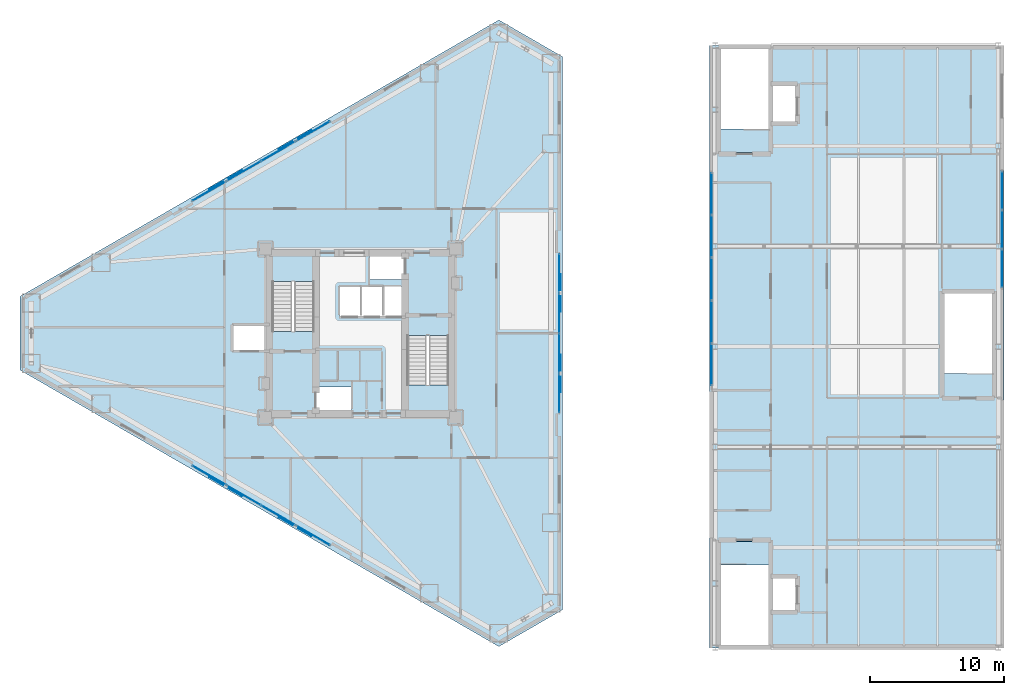
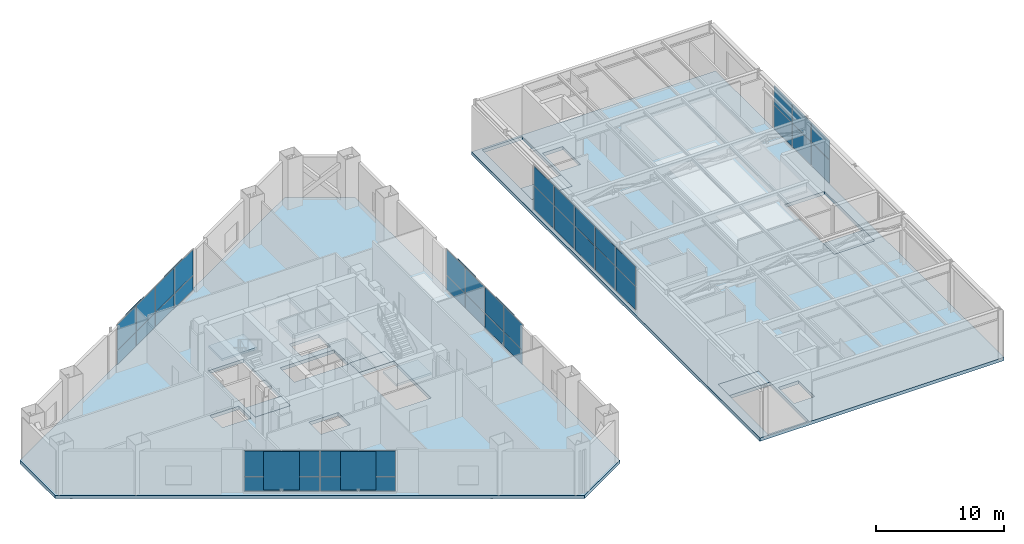
# One storey, part 19 of 27: 46 plates, 9 slabs, 7 elements without a shape of their own.
"""IFC4 building model written with IfcOpenShell, lengths in metres."""

from ifc_helpers import new_model, si_unit, direction, frame, origin, origin_2d, place, context, subcontext, project, spatial, polyline, rectangle, outline, extrude, material, layer, layer_set, type_object, element, aggregate, save


model = new_model("IFC4")

# Units and contexts
model_context = context("Model", 3, precision=1e-05, world=origin(), true_north=direction((0.0, 1.0)))
body_context = subcontext(model_context, "Body", "Model", "MODEL_VIEW")
ifc_project = project(units=[si_unit("LENGTHUNIT", "METRE"), si_unit("AREAUNIT", "SQUARE_METRE"), si_unit("VOLUMEUNIT", "CUBIC_METRE"), si_unit("PLANEANGLEUNIT", "RADIAN"), si_unit("MASSUNIT", "GRAM", prefix="KILO")], contexts=[model_context])

# Site, building, storey
site_placement = place(None, origin())
site = spatial("IfcSite", under=ifc_project, at=site_placement, CompositionType="ELEMENT")
building_placement = place(site_placement, origin())
building = spatial("IfcBuilding", under=site, at=building_placement, Name="Mersakhor Tower and Convention Hall", CompositionType="ELEMENT")
storey_placement = place(building_placement, frame((0.0, 0.0, 14.39990234375)))
storey = spatial("IfcBuildingStorey", under=building, at=storey_placement, Name="L03", CompositionType="ELEMENT", Elevation=14.39990234375)

# Curtain wall, plates
ifc_material_1 = material(Name="Dark solar low-E aluminium curtain wall", Category="aluminium")
ifc_layer_1 = layer(ifc_material_1, 0.18994140625)
ifc_layer_set_1 = layer_set([ifc_layer_1], Name="Dark solar low-E aluminium curtain wall")
curtain_wall_type_1 = type_object("IfcCurtainWallType", Name="CW-SYS-04", PredefinedType="USERDEFINED", material=ifc_layer_set_1)
curtain_wall_1_placement = place(storey_placement, origin())
curtain_wall_1 = element("IfcCurtainWall", 1, at=curtain_wall_1_placement, inside=storey, type_object=curtain_wall_type_1, Name="L03 Dark-Glass Curtain Wall F1-B2", ObjectType="CURTAIN WALL", PredefinedType="USERDEFINED")
ifc_material_2 = material(Name="Dark solar double glazing", Category="glass")
ifc_layer_2 = layer(ifc_material_2, 0.031982421875)
ifc_layer_set_2 = layer_set([ifc_layer_2], Name="Dark solar double glazing")
plate_type_1 = type_object("IfcPlateType", Name="CWP-GLZ-32", PredefinedType="CURTAIN_PANEL", material=ifc_layer_set_2)
plate_1_placement = place(storey_placement, frame((17.703857421875, 37.37548828125, 0.260009765625), z_axis=(0.0, 0.0, 1.0), x_axis=(0.866023412558, 0.50000344889, 0.0)))
plate_1 = element("IfcPlate", 2, at=plate_1_placement, type_object=plate_type_1, Name="CW-04 panel 1.1", PredefinedType="CURTAIN_PANEL", context=body_context, shape_type="SweptSolid", body=[
    extrude(rectangle(XDim=2.873291015625, YDim=0.031982421875, at=origin_2d()), origin(), (0.0, 0.0, 1.0), 1.330078125),
])
plate_2_placement = place(storey_placement, frame((17.703857421875, 37.37548828125, 1.64990234375), z_axis=(0.0, 0.0, 1.0), x_axis=(0.866023412558, 0.50000344889, 0.0)))
plate_2 = element("IfcPlate", 3, at=plate_2_placement, type_object=plate_type_1, Name="CW-04 panel 1.2", PredefinedType="CURTAIN_PANEL", context=body_context, shape_type="SweptSolid", body=[
    extrude(rectangle(XDim=2.873291015625, YDim=0.031982421875, at=origin_2d()), origin(), (0.0, 0.0, 1.0), 2.429931640625),
])
plate_3_placement = place(storey_placement, frame((20.27880859375, 38.862060546875, 0.260009765625), z_axis=(0.0, 0.0, 1.0), x_axis=(0.866023412558, 0.50000344889, 0.0)))
plate_3 = element("IfcPlate", 4, at=plate_3_placement, type_object=plate_type_1, Name="CW-04 panel 2.1", PredefinedType="CURTAIN_PANEL", context=body_context, shape_type="SweptSolid", body=[
    extrude(rectangle(XDim=2.913330078125, YDim=0.031982421875, at=origin_2d()), origin(), (0.0, 0.0, 1.0), 1.330078125),
])
plate_4_placement = place(storey_placement, frame((20.27880859375, 38.862060546875, 1.64990234375), z_axis=(0.0, 0.0, 1.0), x_axis=(0.866023412558, 0.50000344889, 0.0)))
plate_4 = element("IfcPlate", 5, at=plate_4_placement, type_object=plate_type_1, Name="CW-04 panel 2.2", PredefinedType="CURTAIN_PANEL", context=body_context, shape_type="SweptSolid", body=[
    extrude(rectangle(XDim=2.913330078125, YDim=0.031982421875, at=origin_2d()), origin(), (0.0, 0.0, 1.0), 2.429931640625),
])
plate_5_placement = place(storey_placement, frame((22.87109375, 40.35888671875, 0.260009765625), z_axis=(0.0, 0.0, 1.0), x_axis=(0.866023412558, 0.50000344889, 0.0)))
plate_5 = element("IfcPlate", 6, at=plate_5_placement, type_object=plate_type_1, Name="CW-04 panel 3.1", PredefinedType="CURTAIN_PANEL", context=body_context, shape_type="SweptSolid", body=[
    extrude(rectangle(XDim=2.913330078125, YDim=0.031982421875, at=origin_2d()), origin(), (0.0, 0.0, 1.0), 1.330078125),
])
plate_6_placement = place(storey_placement, frame((22.87109375, 40.35888671875, 1.64990234375), z_axis=(0.0, 0.0, 1.0), x_axis=(0.866023412558, 0.50000344889, 0.0)))
plate_6 = element("IfcPlate", 7, at=plate_6_placement, type_object=plate_type_1, Name="CW-04 panel 3.2", PredefinedType="CURTAIN_PANEL", context=body_context, shape_type="SweptSolid", body=[
    extrude(rectangle(XDim=2.913330078125, YDim=0.031982421875, at=origin_2d()), origin(), (0.0, 0.0, 1.0), 2.429931640625),
])
plate_7_placement = place(storey_placement, frame((25.446044921875, 41.845458984375, 0.260009765625), z_axis=(0.0, 0.0, 1.0), x_axis=(0.866023412558, 0.50000344889, 0.0)))
plate_7 = element("IfcPlate", 8, at=plate_7_placement, type_object=plate_type_1, Name="CW-04 panel 4.1", PredefinedType="CURTAIN_PANEL", context=body_context, shape_type="SweptSolid", body=[
    extrude(rectangle(XDim=2.873291015625, YDim=0.031982421875, at=origin_2d()), origin(), (0.0, 0.0, 1.0), 1.330078125),
])
plate_8_placement = place(storey_placement, frame((25.446044921875, 41.845458984375, 1.64990234375), z_axis=(0.0, 0.0, 1.0), x_axis=(0.866023412558, 0.50000344889, 0.0)))
plate_8 = element("IfcPlate", 9, at=plate_8_placement, type_object=plate_type_1, Name="CW-04 panel 4.2", PredefinedType="CURTAIN_PANEL", context=body_context, shape_type="SweptSolid", body=[
    extrude(rectangle(XDim=2.873291015625, YDim=0.031982421875, at=origin_2d()), origin(), (0.0, 0.0, 1.0), 2.429931640625),
])
aggregate(curtain_wall_1, [plate_1, plate_2, plate_3, plate_4, plate_5, plate_6, plate_7, plate_8])

curtain_wall_2_placement = place(storey_placement, origin())
curtain_wall_2 = element("IfcCurtainWall", 10, at=curtain_wall_2_placement, inside=storey, type_object=curtain_wall_type_1, Name="L03 Dark-Glass Curtain Wall F2-B2", ObjectType="CURTAIN WALL", PredefinedType="USERDEFINED")
plate_9_placement = place(storey_placement, frame((43.85009765625, 31.219970703125, 0.260009765625), z_axis=(0.0, 0.0, 1.0), x_axis=(0.0, -1.0, 0.0)))
plate_9 = element("IfcPlate", 11, at=plate_9_placement, type_object=plate_type_1, Name="CW-04 panel 1.1", PredefinedType="CURTAIN_PANEL", context=body_context, shape_type="SweptSolid", body=[
    extrude(rectangle(XDim=2.873291015625, YDim=0.031982421875, at=origin_2d()), origin(), (0.0, 0.0, 1.0), 1.330078125),
])
plate_10_placement = place(storey_placement, frame((43.85009765625, 31.219970703125, 1.64990234375), z_axis=(0.0, 0.0, 1.0), x_axis=(0.0, -1.0, 0.0)))
plate_10 = element("IfcPlate", 12, at=plate_10_placement, type_object=plate_type_1, Name="CW-04 panel 1.2", PredefinedType="CURTAIN_PANEL", context=body_context, shape_type="SweptSolid", body=[
    extrude(rectangle(XDim=2.873291015625, YDim=0.031982421875, at=origin_2d()), origin(), (0.0, 0.0, 1.0), 2.429931640625),
])
plate_11_placement = place(storey_placement, frame((43.85009765625, 28.24658203125, 0.260009765625), z_axis=(0.0, 0.0, 1.0), x_axis=(0.0, -1.0, 0.0)))
plate_11 = element("IfcPlate", 13, at=plate_11_placement, type_object=plate_type_1, Name="CW-04 panel 2.1", PredefinedType="CURTAIN_PANEL", context=body_context, shape_type="SweptSolid", body=[
    extrude(rectangle(XDim=2.913330078125, YDim=0.031982421875, at=origin_2d()), origin(), (0.0, 0.0, 1.0), 1.330078125),
])
plate_12_placement = place(storey_placement, frame((43.85009765625, 28.24658203125, 1.64990234375), z_axis=(0.0, 0.0, 1.0), x_axis=(0.0, -1.0, 0.0)))
plate_12 = element("IfcPlate", 14, at=plate_12_placement, type_object=plate_type_1, Name="CW-04 panel 2.2", PredefinedType="CURTAIN_PANEL", context=body_context, shape_type="SweptSolid", body=[
    extrude(rectangle(XDim=2.913330078125, YDim=0.031982421875, at=origin_2d()), origin(), (0.0, 0.0, 1.0), 2.429931640625),
])
plate_13_placement = place(storey_placement, frame((43.85009765625, 25.25341796875, 0.260009765625), z_axis=(0.0, 0.0, 1.0), x_axis=(0.0, -1.0, 0.0)))
plate_13 = element("IfcPlate", 15, at=plate_13_placement, type_object=plate_type_1, Name="CW-04 panel 3.1", PredefinedType="CURTAIN_PANEL", context=body_context, shape_type="SweptSolid", body=[
    extrude(rectangle(XDim=2.913330078125, YDim=0.031982421875, at=origin_2d()), origin(), (0.0, 0.0, 1.0), 1.330078125),
])
plate_14_placement = place(storey_placement, frame((43.85009765625, 25.25341796875, 1.64990234375), z_axis=(0.0, 0.0, 1.0), x_axis=(0.0, -1.0, 0.0)))
plate_14 = element("IfcPlate", 16, at=plate_14_placement, type_object=plate_type_1, Name="CW-04 panel 3.2", PredefinedType="CURTAIN_PANEL", context=body_context, shape_type="SweptSolid", body=[
    extrude(rectangle(XDim=2.913330078125, YDim=0.031982421875, at=origin_2d()), origin(), (0.0, 0.0, 1.0), 2.429931640625),
])
plate_15_placement = place(storey_placement, frame((43.85009765625, 22.280029296875, 0.260009765625), z_axis=(0.0, 0.0, 1.0), x_axis=(0.0, -1.0, 0.0)))
plate_15 = element("IfcPlate", 17, at=plate_15_placement, type_object=plate_type_1, Name="CW-04 panel 4.1", PredefinedType="CURTAIN_PANEL", context=body_context, shape_type="SweptSolid", body=[
    extrude(rectangle(XDim=2.873291015625, YDim=0.031982421875, at=origin_2d()), origin(), (0.0, 0.0, 1.0), 1.330078125),
])
plate_16_placement = place(storey_placement, frame((43.85009765625, 22.280029296875, 1.64990234375), z_axis=(0.0, 0.0, 1.0), x_axis=(0.0, -1.0, 0.0)))
plate_16 = element("IfcPlate", 18, at=plate_16_placement, type_object=plate_type_1, Name="CW-04 panel 4.2", PredefinedType="CURTAIN_PANEL", context=body_context, shape_type="SweptSolid", body=[
    extrude(rectangle(XDim=2.873291015625, YDim=0.031982421875, at=origin_2d()), origin(), (0.0, 0.0, 1.0), 2.429931640625),
])
aggregate(curtain_wall_2, [plate_9, plate_10, plate_11, plate_12, plate_13, plate_14, plate_15, plate_16])

curtain_wall_3_placement = place(storey_placement, origin())
curtain_wall_3 = element("IfcCurtainWall", 19, at=curtain_wall_3_placement, inside=storey, type_object=curtain_wall_type_1, Name="L03 Dark-Glass Curtain Wall F3-B2", ObjectType="CURTAIN WALL", PredefinedType="USERDEFINED")
plate_17_placement = place(storey_placement, frame((25.446044921875, 11.654541015625, 0.260009765625), z_axis=(0.0, 0.0, 1.0), x_axis=(-0.866023412558, 0.50000344889, 0.0)))
plate_17 = element("IfcPlate", 20, at=plate_17_placement, type_object=plate_type_1, Name="CW-04 panel 1.1", PredefinedType="CURTAIN_PANEL", context=body_context, shape_type="SweptSolid", body=[
    extrude(rectangle(XDim=2.873291015625, YDim=0.031982421875, at=origin_2d()), origin(), (0.0, 0.0, 1.0), 1.330078125),
])
plate_18_placement = place(storey_placement, frame((25.446044921875, 11.654541015625, 1.64990234375), z_axis=(0.0, 0.0, 1.0), x_axis=(-0.866023412558, 0.50000344889, 0.0)))
plate_18 = element("IfcPlate", 21, at=plate_18_placement, type_object=plate_type_1, Name="CW-04 panel 1.2", PredefinedType="CURTAIN_PANEL", context=body_context, shape_type="SweptSolid", body=[
    extrude(rectangle(XDim=2.873291015625, YDim=0.031982421875, at=origin_2d()), origin(), (0.0, 0.0, 1.0), 2.429931640625),
])
plate_19_placement = place(storey_placement, frame((22.87109375, 13.14111328125, 0.260009765625), z_axis=(0.0, 0.0, 1.0), x_axis=(-0.866023412558, 0.50000344889, 0.0)))
plate_19 = element("IfcPlate", 22, at=plate_19_placement, type_object=plate_type_1, Name="CW-04 panel 2.1", PredefinedType="CURTAIN_PANEL", context=body_context, shape_type="SweptSolid", body=[
    extrude(rectangle(XDim=2.913330078125, YDim=0.031982421875, at=origin_2d()), origin(), (0.0, 0.0, 1.0), 1.330078125),
])
plate_20_placement = place(storey_placement, frame((22.87109375, 13.14111328125, 1.64990234375), z_axis=(0.0, 0.0, 1.0), x_axis=(-0.866023412558, 0.50000344889, 0.0)))
plate_20 = element("IfcPlate", 23, at=plate_20_placement, type_object=plate_type_1, Name="CW-04 panel 2.2", PredefinedType="CURTAIN_PANEL", context=body_context, shape_type="SweptSolid", body=[
    extrude(rectangle(XDim=2.913330078125, YDim=0.031982421875, at=origin_2d()), origin(), (0.0, 0.0, 1.0), 2.429931640625),
])
plate_21_placement = place(storey_placement, frame((20.27880859375, 14.637939453125, 0.260009765625), z_axis=(0.0, 0.0, 1.0), x_axis=(-0.866023412558, 0.50000344889, 0.0)))
plate_21 = element("IfcPlate", 24, at=plate_21_placement, type_object=plate_type_1, Name="CW-04 panel 3.1", PredefinedType="CURTAIN_PANEL", context=body_context, shape_type="SweptSolid", body=[
    extrude(rectangle(XDim=2.913330078125, YDim=0.031982421875, at=origin_2d()), origin(), (0.0, 0.0, 1.0), 1.330078125),
])
plate_22_placement = place(storey_placement, frame((20.27880859375, 14.637939453125, 1.64990234375), z_axis=(0.0, 0.0, 1.0), x_axis=(-0.866023412558, 0.50000344889, 0.0)))
plate_22 = element("IfcPlate", 25, at=plate_22_placement, type_object=plate_type_1, Name="CW-04 panel 3.2", PredefinedType="CURTAIN_PANEL", context=body_context, shape_type="SweptSolid", body=[
    extrude(rectangle(XDim=2.913330078125, YDim=0.031982421875, at=origin_2d()), origin(), (0.0, 0.0, 1.0), 2.429931640625),
])
plate_23_placement = place(storey_placement, frame((17.703857421875, 16.12451171875, 0.260009765625), z_axis=(0.0, 0.0, 1.0), x_axis=(-0.866023412558, 0.50000344889, 0.0)))
plate_23 = element("IfcPlate", 26, at=plate_23_placement, type_object=plate_type_1, Name="CW-04 panel 4.1", PredefinedType="CURTAIN_PANEL", context=body_context, shape_type="SweptSolid", body=[
    extrude(rectangle(XDim=2.873291015625, YDim=0.031982421875, at=origin_2d()), origin(), (0.0, 0.0, 1.0), 1.330078125),
])
plate_24_placement = place(storey_placement, frame((17.703857421875, 16.12451171875, 1.64990234375), z_axis=(0.0, 0.0, 1.0), x_axis=(-0.866023412558, 0.50000344889, 0.0)))
plate_24 = element("IfcPlate", 27, at=plate_24_placement, type_object=plate_type_1, Name="CW-04 panel 4.2", PredefinedType="CURTAIN_PANEL", context=body_context, shape_type="SweptSolid", body=[
    extrude(rectangle(XDim=2.873291015625, YDim=0.031982421875, at=origin_2d()), origin(), (0.0, 0.0, 1.0), 2.429931640625),
])
aggregate(curtain_wall_3, [plate_17, plate_18, plate_19, plate_20, plate_21, plate_22, plate_23, plate_24])

ifc_material_3 = material(Name="Dark solar low-E aluminium curtain wall", Category="aluminium")
ifc_layer_3 = layer(ifc_material_3, 0.219970703125)
ifc_layer_set_3 = layer_set([ifc_layer_3], Name="Dark solar low-E aluminium curtain wall")
curtain_wall_type_2 = type_object("IfcCurtainWallType", Name="CW-SYS-07", PredefinedType="USERDEFINED", material=ifc_layer_set_3)
curtain_wall_4_placement = place(storey_placement, origin())
curtain_wall_4 = element("IfcCurtainWall", 28, at=curtain_wall_4_placement, inside=storey, type_object=curtain_wall_type_2, Name="Convention L03 West Curtain Wall", ObjectType="CURTAIN WALL", PredefinedType="USERDEFINED")
ifc_material_4 = material(Name="Dark solar double glazing", Category="glass")
ifc_layer_4 = layer(ifc_material_4, 0.0439453125)
ifc_layer_set_4 = layer_set([ifc_layer_4], Name="Dark solar double glazing")
plate_type_2 = type_object("IfcPlateType", Name="CWP-GLZ-44", PredefinedType="CURTAIN_PANEL", material=ifc_layer_set_4)
plate_25_placement = place(storey_placement, frame((55.22509765625, 24.419921875, 0.260009765625), z_axis=(0.0, 0.0, 1.0), x_axis=(0.0, 1.0, 0.0)))
plate_25 = element("IfcPlate", 29, at=plate_25_placement, type_object=plate_type_2, Name="CW-07 panel 1.1", PredefinedType="CURTAIN_PANEL", context=body_context, shape_type="SweptSolid", body=[
    extrude(rectangle(XDim=3.080078125, YDim=0.0439453125, at=origin_2d()), origin(), (0.0, 0.0, 1.0), 2.2099609375),
])
plate_26_placement = place(storey_placement, frame((55.22509765625, 24.419921875, 2.530029296875), z_axis=(0.0, 0.0, 1.0), x_axis=(0.0, 1.0, 0.0)))
plate_26 = element("IfcPlate", 30, at=plate_26_placement, type_object=plate_type_2, Name="CW-07 panel 1.2", PredefinedType="CURTAIN_PANEL", context=body_context, shape_type="SweptSolid", body=[
    extrude(rectangle(XDim=3.080078125, YDim=0.0439453125, at=origin_2d()), origin(), (0.0, 0.0, 1.0), 1.830078125),
])
plate_27_placement = place(storey_placement, frame((55.22509765625, 27.60009765625, 0.260009765625), z_axis=(0.0, 0.0, 1.0), x_axis=(0.0, 1.0, 0.0)))
plate_27 = element("IfcPlate", 31, at=plate_27_placement, type_object=plate_type_2, Name="CW-07 panel 2.1", PredefinedType="CURTAIN_PANEL", context=body_context, shape_type="SweptSolid", body=[
    extrude(rectangle(XDim=3.1201171875, YDim=0.0439453125, at=origin_2d()), origin(), (0.0, 0.0, 1.0), 2.2099609375),
])
plate_28_placement = place(storey_placement, frame((55.22509765625, 27.60009765625, 2.530029296875), z_axis=(0.0, 0.0, 1.0), x_axis=(0.0, 1.0, 0.0)))
plate_28 = element("IfcPlate", 32, at=plate_28_placement, type_object=plate_type_2, Name="CW-07 panel 2.2", PredefinedType="CURTAIN_PANEL", context=body_context, shape_type="SweptSolid", body=[
    extrude(rectangle(XDim=3.1201171875, YDim=0.0439453125, at=origin_2d()), origin(), (0.0, 0.0, 1.0), 1.830078125),
])
plate_29_placement = place(storey_placement, frame((55.22509765625, 30.800048828125, 0.260009765625), z_axis=(0.0, 0.0, 1.0), x_axis=(0.0, 1.0, 0.0)))
plate_29 = element("IfcPlate", 33, at=plate_29_placement, type_object=plate_type_2, Name="CW-07 panel 3.1", PredefinedType="CURTAIN_PANEL", context=body_context, shape_type="SweptSolid", body=[
    extrude(rectangle(XDim=3.1201171875, YDim=0.0439453125, at=origin_2d()), origin(), (0.0, 0.0, 1.0), 2.2099609375),
])
plate_30_placement = place(storey_placement, frame((55.22509765625, 30.800048828125, 2.530029296875), z_axis=(0.0, 0.0, 1.0), x_axis=(0.0, 1.0, 0.0)))
plate_30 = element("IfcPlate", 34, at=plate_30_placement, type_object=plate_type_2, Name="CW-07 panel 3.2", PredefinedType="CURTAIN_PANEL", context=body_context, shape_type="SweptSolid", body=[
    extrude(rectangle(XDim=3.1201171875, YDim=0.0439453125, at=origin_2d()), origin(), (0.0, 0.0, 1.0), 1.830078125),
])
plate_31_placement = place(storey_placement, frame((55.22509765625, 34.0, 0.260009765625), z_axis=(0.0, 0.0, 1.0), x_axis=(0.0, 1.0, 0.0)))
plate_31 = element("IfcPlate", 35, at=plate_31_placement, type_object=plate_type_2, Name="CW-07 panel 4.1", PredefinedType="CURTAIN_PANEL", context=body_context, shape_type="SweptSolid", body=[
    extrude(rectangle(XDim=3.1201171875, YDim=0.0439453125, at=origin_2d()), origin(), (0.0, 0.0, 1.0), 2.2099609375),
])
plate_32_placement = place(storey_placement, frame((55.22509765625, 34.0, 2.530029296875), z_axis=(0.0, 0.0, 1.0), x_axis=(0.0, 1.0, 0.0)))
plate_32 = element("IfcPlate", 36, at=plate_32_placement, type_object=plate_type_2, Name="CW-07 panel 4.2", PredefinedType="CURTAIN_PANEL", context=body_context, shape_type="SweptSolid", body=[
    extrude(rectangle(XDim=3.1201171875, YDim=0.0439453125, at=origin_2d()), origin(), (0.0, 0.0, 1.0), 1.830078125),
])
plate_33_placement = place(storey_placement, frame((55.22509765625, 37.179931640625, 0.260009765625), z_axis=(0.0, 0.0, 1.0), x_axis=(0.0, 1.0, 0.0)))
plate_33 = element("IfcPlate", 37, at=plate_33_placement, type_object=plate_type_2, Name="CW-07 panel 5.1", PredefinedType="CURTAIN_PANEL", context=body_context, shape_type="SweptSolid", body=[
    extrude(rectangle(XDim=3.080078125, YDim=0.0439453125, at=origin_2d()), origin(), (0.0, 0.0, 1.0), 2.2099609375),
])
plate_34_placement = place(storey_placement, frame((55.22509765625, 37.179931640625, 2.530029296875), z_axis=(0.0, 0.0, 1.0), x_axis=(0.0, 1.0, 0.0)))
plate_34 = element("IfcPlate", 38, at=plate_34_placement, type_object=plate_type_2, Name="CW-07 panel 5.2", PredefinedType="CURTAIN_PANEL", context=body_context, shape_type="SweptSolid", body=[
    extrude(rectangle(XDim=3.080078125, YDim=0.0439453125, at=origin_2d()), origin(), (0.0, 0.0, 1.0), 1.830078125),
])
aggregate(curtain_wall_4, [plate_25, plate_26, plate_27, plate_28, plate_29, plate_30, plate_31, plate_32, plate_33, plate_34])

curtain_wall_5_placement = place(storey_placement, origin())
curtain_wall_5 = element("IfcCurtainWall", 39, at=curtain_wall_5_placement, inside=storey, type_object=curtain_wall_type_2, Name="Convention L03 East Curtain Wall", ObjectType="CURTAIN WALL", PredefinedType="USERDEFINED")
plate_35_placement = place(storey_placement, frame((76.925048828125, 37.413330078125, 0.260009765625), z_axis=(0.0, 0.0, 1.0), x_axis=(0.0, -1.0, 0.0)))
plate_35 = element("IfcPlate", 40, at=plate_35_placement, type_object=plate_type_2, Name="CW-07 panel 1.1", PredefinedType="CURTAIN_PANEL", context=body_context, shape_type="SweptSolid", body=[
    extrude(rectangle(XDim=2.813232421875, YDim=0.0439453125, at=origin_2d()), origin(), (0.0, 0.0, 1.0), 2.2099609375),
])
plate_36_placement = place(storey_placement, frame((76.925048828125, 37.413330078125, 2.530029296875), z_axis=(0.0, 0.0, 1.0), x_axis=(0.0, -1.0, 0.0)))
plate_36 = element("IfcPlate", 41, at=plate_36_placement, type_object=plate_type_2, Name="CW-07 panel 1.2", PredefinedType="CURTAIN_PANEL", context=body_context, shape_type="SweptSolid", body=[
    extrude(rectangle(XDim=2.813232421875, YDim=0.0439453125, at=origin_2d()), origin(), (0.0, 0.0, 1.0), 1.830078125),
])
plate_37_placement = place(storey_placement, frame((76.925048828125, 34.5, 0.260009765625), z_axis=(0.0, 0.0, 1.0), x_axis=(0.0, -1.0, 0.0)))
plate_37 = element("IfcPlate", 42, at=plate_37_placement, type_object=plate_type_2, Name="CW-07 panel 2.1", PredefinedType="CURTAIN_PANEL", context=body_context, shape_type="SweptSolid", body=[
    extrude(rectangle(XDim=2.853271484375, YDim=0.0439453125, at=origin_2d()), origin(), (0.0, 0.0, 1.0), 2.2099609375),
])
plate_38_placement = place(storey_placement, frame((76.925048828125, 34.5, 2.530029296875), z_axis=(0.0, 0.0, 1.0), x_axis=(0.0, -1.0, 0.0)))
plate_38 = element("IfcPlate", 43, at=plate_38_placement, type_object=plate_type_2, Name="CW-07 panel 2.2", PredefinedType="CURTAIN_PANEL", context=body_context, shape_type="SweptSolid", body=[
    extrude(rectangle(XDim=2.853271484375, YDim=0.0439453125, at=origin_2d()), origin(), (0.0, 0.0, 1.0), 1.830078125),
])
plate_39_placement = place(storey_placement, frame((76.925048828125, 31.586669921875, 0.260009765625), z_axis=(0.0, 0.0, 1.0), x_axis=(0.0, -1.0, 0.0)))
plate_39 = element("IfcPlate", 44, at=plate_39_placement, type_object=plate_type_2, Name="CW-07 panel 3.1", PredefinedType="CURTAIN_PANEL", context=body_context, shape_type="SweptSolid", body=[
    extrude(rectangle(XDim=2.813232421875, YDim=0.0439453125, at=origin_2d()), origin(), (0.0, 0.0, 1.0), 2.2099609375),
])
plate_40_placement = place(storey_placement, frame((76.925048828125, 31.586669921875, 2.530029296875), z_axis=(0.0, 0.0, 1.0), x_axis=(0.0, -1.0, 0.0)))
plate_40 = element("IfcPlate", 45, at=plate_40_placement, type_object=plate_type_2, Name="CW-07 panel 3.2", PredefinedType="CURTAIN_PANEL", context=body_context, shape_type="SweptSolid", body=[
    extrude(rectangle(XDim=2.813232421875, YDim=0.0439453125, at=origin_2d()), origin(), (0.0, 0.0, 1.0), 1.830078125),
])
aggregate(curtain_wall_5, [plate_35, plate_36, plate_37, plate_38, plate_39, plate_40])

# Plates
ifc_material_5 = material(Name="Perforated ceramic cobogo solar screen", Category="aluminium")
ifc_layer_5 = layer(ifc_material_5, 0.055908203125)
ifc_layer_set_5 = layer_set([ifc_layer_5], Name="Perforated ceramic cobogo solar screen")
plate_type_3 = type_object("IfcPlateType", Name="PL-SCR-56", PredefinedType="USERDEFINED", material=ifc_layer_set_5)
for number, where, z_axis, x_axis, name in (
    (46, (18.933837890625, 38.19873046875, 0.400146484375), (0.0, 0.0, 1.0), (0.866025403784, 0.5, 0.0), "L03 Perforated Ceramic Solar Screen F1-1"),
    (47, (24.118408203125, 41.19189453125, 0.400146484375), (0.0, 0.0, 1.0), (0.866025403784, 0.5, 0.0), "L03 Perforated Ceramic Solar Screen F1-2"),
    (48, (43.947998046875, 29.743408203125, 0.400146484375), (0.0, 0.0, 1.0), (0.0, -1.0, 0.0), "L03 Perforated Ceramic Solar Screen F2-1"),
    (49, (43.947998046875, 23.756591796875, 0.400146484375), (0.0, 0.0, 1.0), (0.0, -1.0, 0.0), "L03 Perforated Ceramic Solar Screen F2-2"),
    (50, (24.1181640625, 12.30810546875, 0.400146484375), (0.0, 0.0, 1.0), (-0.866025403784, 0.5, 0.0), "L03 Perforated Ceramic Solar Screen F3-1"),
    (51, (18.93359375, 15.30126953125, 0.400146484375), (0.0, 0.0, 1.0), (-0.866025403784, 0.5, 0.0), "L03 Perforated Ceramic Solar Screen F3-2"),
):
    element("IfcPlate", number, at=place(storey_placement, frame(where, z_axis=z_axis, x_axis=x_axis)), inside=storey, type_object=plate_type_3, Name=name, ObjectType="SCREEN", PredefinedType="USERDEFINED", context=body_context, shape_type="SweptSolid", body=[
        extrude(rectangle(XDim=2.800048828125, YDim=0.055908203125, at=origin_2d()), origin(), (0.0, 0.0, 1.0), 3.68994140625),
    ])

# Slabs
ifc_material_6 = material(Name="Concrete C45/55", Category="concrete")
ifc_layer_6 = layer(ifc_material_6, 0.320068359375)
ifc_layer_set_6 = layer_set([ifc_layer_6], Name="Concrete C45/55")
slab_type_1 = type_object("IfcSlabType", Name="SL-FLR-320", PredefinedType="FLOOR", material=ifc_layer_set_6)
slab_1_placement = place(storey_placement, frame((0.0, 0.0, -0.31982421875)))
element("IfcSlab", 52, at=slab_1_placement, inside=storey, type_object=slab_type_1, Name="L03 ST-1 Structural Stair Floor Landing", PredefinedType="LANDING", context=body_context, shape_type="SweptSolid", body=[
    extrude(outline(polyline([(25.550048828125, 25.39990234375), (25.550048828125, 26.89990234375), (22.39990234375, 26.89990234375), (22.39990234375, 25.39990234375), (25.550048828125, 25.39990234375)])), origin(), (0.0, 0.0, 1.0), 0.31982421875),
])
slab_2_placement = place(storey_placement, frame((0.0, 0.0, -0.31982421875)))
element("IfcSlab", 53, at=slab_2_placement, inside=storey, type_object=slab_type_1, Name="L03 ST-2 Structural Stair Floor Landing", PredefinedType="LANDING", context=body_context, shape_type="SweptSolid", body=[
    extrude(outline(polyline([(32.449951171875, 28.10009765625), (32.449951171875, 26.60009765625), (35.60009765625, 26.60009765625), (35.60009765625, 28.10009765625), (32.449951171875, 28.10009765625)])), origin(), (0.0, 0.0, 1.0), 0.31982421875),
])
slab_3_placement = place(storey_placement, frame((0.0, 0.0, -0.31982421875)))
element("IfcSlab", 54, at=slab_3_placement, inside=storey, type_object=slab_type_1, Name="Tower L03 Structural Floor Slab", PredefinedType="FLOOR", context=body_context, shape_type="SweptSolid", body=[
    extrude(outline(polyline([(3.56298828125, 29.5), (39.3369140625, 50.154052734375), (44.10009765625, 47.404052734375), (44.10009765625, 6.095947265625), (39.3369140625, 3.345947265625), (3.56298828125, 24.0), (3.56298828125, 29.5)]), holes=[polyline([(25.550048828125, 25.39990234375), (25.550048828125, 32.699951171875), (22.39990234375, 32.699951171875), (22.39990234375, 25.39990234375), (25.550048828125, 25.39990234375)]), polyline([(32.449951171875, 28.10009765625), (32.449951171875, 20.800048828125), (35.60009765625, 20.800048828125), (35.60009765625, 28.10009765625), (32.449951171875, 28.10009765625)]), polyline([(25.679931640625, 20.820068359375), (25.679931640625, 22.719970703125), (28.320068359375, 22.719970703125), (28.320068359375, 20.820068359375), (25.679931640625, 20.820068359375)]), polyline([(29.679931640625, 30.780029296875), (29.679931640625, 32.679931640625), (32.320068359375, 32.679931640625), (32.320068359375, 30.780029296875), (29.679931640625, 30.780029296875)]), polyline([(27.429931640625, 28.0), (27.429931640625, 30.25), (32.320068359375, 30.25), (32.320068359375, 28.0), (27.429931640625, 28.0)]), polyline([(19.449951171875, 25.449951171875), (19.449951171875, 27.35009765625), (22.050048828125, 27.35009765625), (22.050048828125, 25.449951171875), (19.449951171875, 25.449951171875)])]), origin(), (0.0, 0.0, 1.0), 0.31982421875),
])
slab_4_placement = place(storey_placement, frame((0.0, 0.0, -0.31982421875)))
element("IfcSlab", 55, at=slab_4_placement, inside=storey, type_object=slab_type_1, Name="L03 CH-ST1 Structural Stair Floor Landing", PredefinedType="LANDING", context=body_context, shape_type="SweptSolid", body=[
    extrude(outline(polyline([(55.89990234375, 11.199951171875), (55.89990234375, 9.449951171875), (59.550048828125, 9.449951171875), (59.550048828125, 11.199951171875), (55.89990234375, 11.199951171875)])), origin(), (0.0, 0.0, 1.0), 0.31982421875),
])
slab_5_placement = place(storey_placement, frame((0.0, 0.0, -0.31982421875)))
element("IfcSlab", 56, at=slab_5_placement, inside=storey, type_object=slab_type_1, Name="L03 CH-ST2 Structural Stair Floor Landing", PredefinedType="LANDING", context=body_context, shape_type="SweptSolid", body=[
    extrude(outline(polyline([(59.550048828125, 40.25), (59.550048828125, 42.0), (55.89990234375, 42.0), (55.89990234375, 40.25), (59.550048828125, 40.25)])), origin(), (0.0, 0.0, 1.0), 0.31982421875),
])
slab_6_placement = place(storey_placement, frame((0.0, 0.0, -0.31982421875)))
element("IfcSlab", 57, at=slab_6_placement, inside=storey, type_object=slab_type_1, Name="L03 CH-ST3 Structural Stair Floor Landing", PredefinedType="LANDING", context=body_context, shape_type="SweptSolid", body=[
    extrude(outline(polyline([(76.25, 22.0), (76.25, 23.75), (72.60009765625, 23.75), (72.60009765625, 22.0), (76.25, 22.0)])), origin(), (0.0, 0.0, 1.0), 0.31982421875),
])
slab_7_placement = place(storey_placement, frame((0.0, 0.0, -0.31982421875)))
element("IfcSlab", 58, at=slab_7_placement, inside=storey, type_object=slab_type_1, Name="Convention Hall L03 Composite Floor Slab", PredefinedType="FLOOR", context=body_context, shape_type="SweptSolid", body=[
    extrude(outline(polyline([(55.074951171875, 3.25), (55.074951171875, 48.25), (77.074951171875, 48.25), (77.074951171875, 3.25), (55.074951171875, 3.25)]), holes=[polyline([(55.89990234375, 11.199951171875), (55.89990234375, 3.39990234375), (59.550048828125, 3.39990234375), (59.550048828125, 11.199951171875), (55.89990234375, 11.199951171875)]), polyline([(59.550048828125, 40.25), (59.550048828125, 48.050048828125), (55.89990234375, 48.050048828125), (55.89990234375, 40.25), (59.550048828125, 40.25)]), polyline([(76.25, 22.0), (76.25, 29.800048828125), (72.60009765625, 29.800048828125), (72.60009765625, 22.0), (76.25, 22.0)]), polyline([(59.75, 6.0), (59.75, 8.5), (61.60009765625, 8.5), (61.60009765625, 6.0), (59.75, 6.0)]), polyline([(59.75, 42.5), (59.75, 45.300048828125), (61.60009765625, 45.300048828125), (61.60009765625, 42.5), (59.75, 42.5)])]), origin(), (0.0, 0.0, 1.0), 0.31982421875),
])

# Stair, slab
ifc_material_7 = material(Name="Concrete C45/55", Category="concrete")
stair_type = type_object("IfcStairType", Name="ST-TWR-28R", PredefinedType="HALF_TURN_STAIR", material=ifc_material_7)
stair_1_placement = place(storey_placement, origin())
stair_1 = element("IfcStair", 59, at=stair_1_placement, inside=storey, type_object=stair_type, Name="L03 Tower Protected Exit Stair ST-1", PredefinedType="HALF_TURN_STAIR")
ifc_material_8 = material(Name="Concrete C45/55", Category="concrete")
ifc_layer_7 = layer(ifc_material_8, 0.199951171875)
ifc_layer_set_7 = layer_set([ifc_layer_7], Name="Concrete C45/55")
slab_type_2 = type_object("IfcSlabType", Name="SL-LAND-200", PredefinedType="LANDING", material=ifc_layer_set_7)
slab_8_placement = place(storey_placement, frame((0.0, 0.0, 2.2001953125)))
slab_8 = element("IfcSlab", 60, at=slab_8_placement, type_object=slab_type_2, Name="ST-1 landing 1", PredefinedType="LANDING", context=body_context, shape_type="SweptSolid", body=[
    extrude(outline(polyline([(25.550048828125, 30.60498046875), (25.550048828125, 32.699951171875), (22.39990234375, 32.699951171875), (22.39990234375, 30.60498046875), (25.550048828125, 30.60498046875)])), origin(), (0.0, 0.0, 1.0), 0.199951171875),
])
aggregate(stair_1, [slab_8])

stair_2_placement = place(storey_placement, origin())
stair_2 = element("IfcStair", 61, at=stair_2_placement, inside=storey, type_object=stair_type, Name="L03 Tower Protected Exit Stair ST-2", PredefinedType="HALF_TURN_STAIR")
slab_9_placement = place(storey_placement, frame((0.0, 0.0, 2.2001953125)))
slab_9 = element("IfcSlab", 62, at=slab_9_placement, type_object=slab_type_2, Name="ST-2 landing 1", PredefinedType="LANDING", context=body_context, shape_type="SweptSolid", body=[
    extrude(outline(polyline([(32.449951171875, 22.89501953125), (32.449951171875, 20.800048828125), (35.60009765625, 20.800048828125), (35.60009765625, 22.89501953125), (32.449951171875, 22.89501953125)])), origin(), (0.0, 0.0, 1.0), 0.199951171875),
])
aggregate(stair_2, [slab_9])

save(model, "model.ifc")
